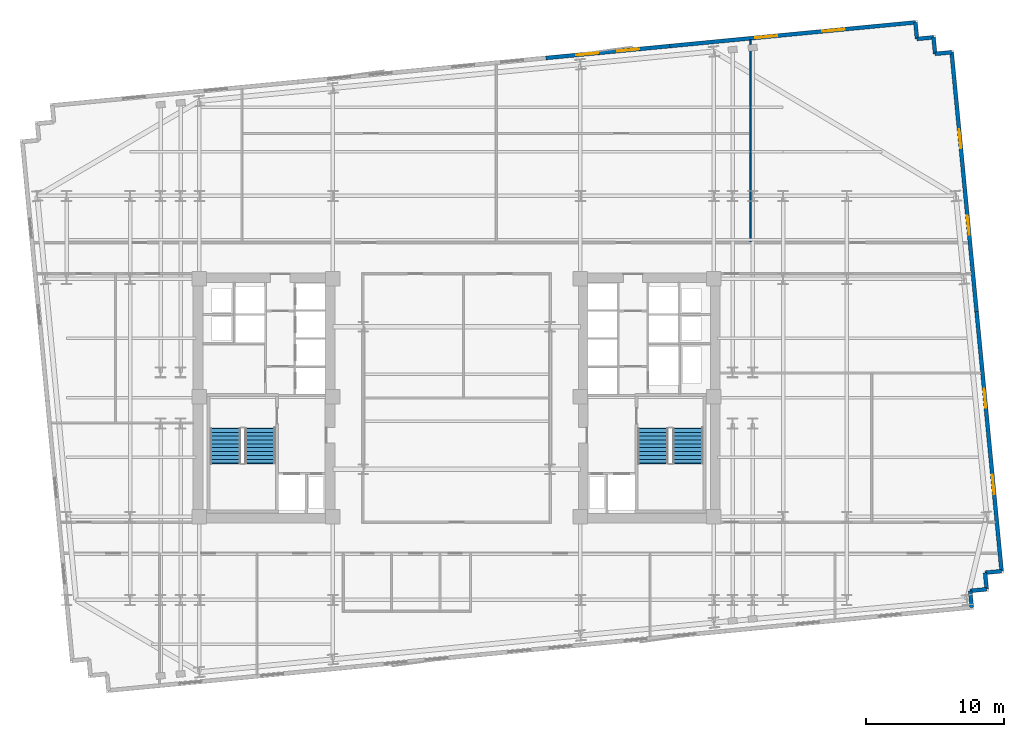
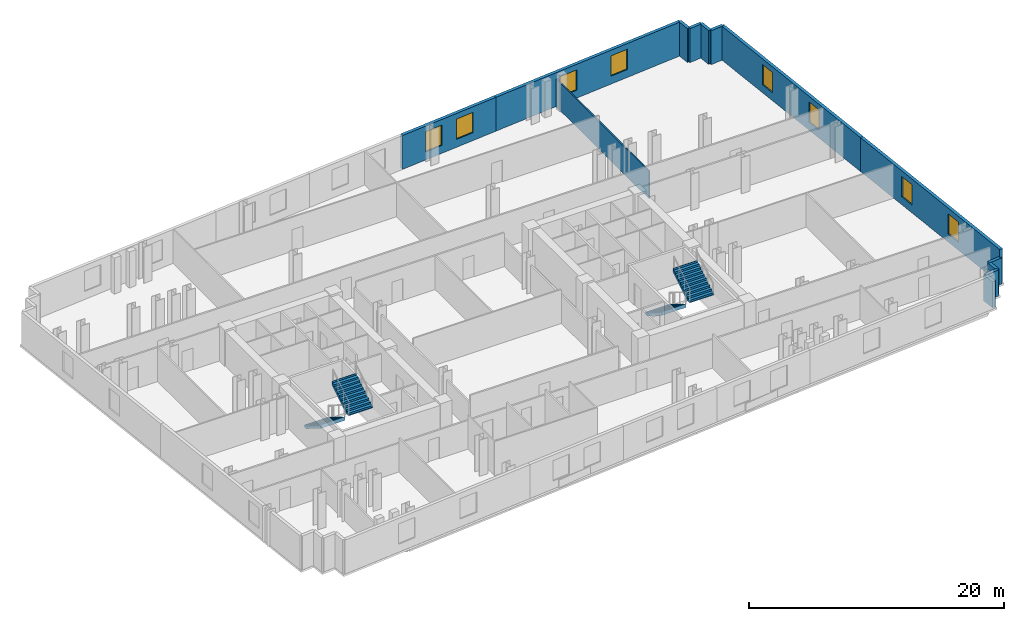
# One storey, part 8 of 10: 13 walls, 8 windows, 4 stair flights, 8 openings, 2 elements without a shape of their own.
"""IFC4 building model written with IfcOpenShell, lengths in metres."""

from ifc_helpers import new_model, si_unit, direction, frame, frame_2d, origin, place, context, subcontext, project, spatial, polyline, rectangle, outline, extrude, material, layer, layer_set, type_object, element, fill, aggregate, save


model = new_model("IFC4")

# Units and contexts
model_context = context("Model", 3, precision=1e-05, world=origin(), true_north=direction((0.0, 1.0)))
body_context = subcontext(model_context, "Body", "Model", "MODEL_VIEW")
ifc_project = project(units=[si_unit("LENGTHUNIT", "METRE"), si_unit("AREAUNIT", "SQUARE_METRE"), si_unit("VOLUMEUNIT", "CUBIC_METRE"), si_unit("PLANEANGLEUNIT", "RADIAN"), si_unit("MASSUNIT", "GRAM", prefix="KILO")], contexts=[model_context])

# Site, building, storey
site_placement = place(None, origin())
site = spatial("IfcSite", under=ifc_project, at=site_placement, CompositionType="ELEMENT")
building_placement = place(site_placement, origin())
building = spatial("IfcBuilding", under=site, at=building_placement, Name="Velakula Bourse", CompositionType="ELEMENT")
storey_placement = place(building_placement, frame((0.0, 0.0, 98.35009765625)))
storey = spatial("IfcBuildingStorey", under=building, at=storey_placement, Name="L26", CompositionType="ELEMENT", Elevation=98.35009765625)

# Wall, openings, windows
ifc_material_1 = material(Name="Red kilned clay facing brick masonry", Category="masonry")
ifc_layer_1 = layer(ifc_material_1, 0.280029296875, Name="Red kilned clay facing brick masonry", Category="masonry")
ifc_layer_set_1 = layer_set([ifc_layer_1], Name="Red kilned clay facing brick masonry")
wall_type_1 = type_object("IfcWallType", Name="WL-EXT-BRK-280", PredefinedType="STANDARD", material=ifc_layer_set_1)
wall_1_placement = place(storey_placement, frame((6.443603515625, 24.573486328125, 0.0), z_axis=(0.0, 0.0, 1.0), x_axis=(0.995396794462, 0.09583956164, 0.0)))
wall_1 = element("IfcWall", 1, at=wall_1_placement, inside=storey, type_object=wall_type_1, Name="L26 N Brick Spandrel Wall B4", PredefinedType="STANDARD", context=body_context, shape_type="SweptSolid", body=[
    extrude(rectangle(XDim=9.0, YDim=0.280029296875, at=frame_2d((4.5, 0.0))), origin(), (0.0, 0.0, 1.0), 3.25),
])
opening_1_placement = place(wall_1_placement, frame((2.199951171875, 0.0, 0.760009765625)))
opening_1 = element("IfcOpeningElement", 2, at=opening_1_placement, cuts=wall_1, Name="Opening W-02", PredefinedType="OPENING", context=body_context, shape_type="SweptSolid", body=[
    extrude(rectangle(XDim=1.60009765625, YDim=1.949951171875, at=frame_2d((0.800048828125, 0.97509765625))), frame((0.0, 0.14990234375, 0.0), z_axis=(0.0, -1.0, 0.0), x_axis=(1.0, 0.0, 0.0)), (0.0, 0.0, 1.0), 0.300048828125),
])
opening_2_placement = place(wall_1_placement, frame((5.199951171875, 0.0, 0.760009765625)))
opening_2 = element("IfcOpeningElement", 3, at=opening_2_placement, cuts=wall_1, Name="Opening W-02", PredefinedType="OPENING", context=body_context, shape_type="SweptSolid", body=[
    extrude(rectangle(XDim=1.60009765625, YDim=1.949951171875, at=frame_2d((0.800048828125, 0.97509765625))), frame((0.0, 0.14990234375, 0.0), z_axis=(0.0, -1.0, 0.0), x_axis=(1.0, 0.0, 0.0)), (0.0, 0.0, 1.0), 0.300048828125),
])
ifc_material_2 = material(Name="Double-glazed solar-control Low-E glass", Category="glass")
window_type_1 = type_object("IfcWindowType", Name="WIN-TWR-1600x2100", PartitioningType="SINGLE_PANEL", PredefinedType="WINDOW", material=ifc_material_2)
window_1_placement = place(opening_1_placement, origin())
window_1 = element("IfcWindow", 4, at=window_1_placement, inside=storey, type_object=window_type_1, Name="L26 Deep-Set Recessed Window 1", OverallHeight=1.949951171875, OverallWidth=1.60009765625, PartitioningType="SINGLE_PANEL", PredefinedType="WINDOW", context=body_context, shape_type="SweptSolid", body=[
    extrude(rectangle(XDim=1.60009765625, YDim=1.949951171875, at=frame_2d((0.800048828125, 0.97509765625))), frame((0.0, 0.030029296875, 0.0), z_axis=(0.0, -1.0, 0.0), x_axis=(1.0, 0.0, 0.0)), (0.0, 0.0, 1.0), 0.06005859375),
])
fill(opening_1, window_1)
window_2_placement = place(opening_2_placement, origin())
window_2 = element("IfcWindow", 5, at=window_2_placement, inside=storey, type_object=window_type_1, Name="L26 Deep-Set Recessed Window 2", OverallHeight=1.949951171875, OverallWidth=1.60009765625, PartitioningType="SINGLE_PANEL", PredefinedType="WINDOW", context=body_context, shape_type="SweptSolid", body=[
    extrude(rectangle(XDim=1.60009765625, YDim=1.949951171875, at=frame_2d((0.800048828125, 0.97509765625))), frame((0.0, 0.030029296875, 0.0), z_axis=(0.0, -1.0, 0.0), x_axis=(1.0, 0.0, 0.0)), (0.0, 0.0, 1.0), 0.06005859375),
])
fill(opening_2, window_2)

wall_2_placement = place(storey_placement, frame((15.402099609375, 25.43603515625, 0.0), z_axis=(0.0, 0.0, 1.0), x_axis=(0.995395780835, 0.095850088663, 0.0)))
wall_2 = element("IfcWall", 6, at=wall_2_placement, inside=storey, type_object=wall_type_1, Name="L26 N Brick Spandrel Wall B5", PredefinedType="STANDARD", context=body_context, shape_type="SweptSolid", body=[
    extrude(rectangle(XDim=17.83984375, YDim=0.280029296875, at=frame_2d((8.919921875, 0.0))), origin(), (0.0, 0.0, 1.0), 3.25),
])
opening_3_placement = place(wall_2_placement, frame((6.19677734375, 0.0, 0.760009765625)))
opening_3 = element("IfcOpeningElement", 7, at=opening_3_placement, cuts=wall_2, Name="Opening W-02", PredefinedType="OPENING", context=body_context, shape_type="SweptSolid", body=[
    extrude(rectangle(XDim=1.60009765625, YDim=1.949951171875, at=frame_2d((0.800048828125, 0.97509765625))), frame((0.0, 0.14990234375, 0.0), z_axis=(0.0, -1.0, 0.0), x_axis=(1.0, 0.0, 0.0)), (0.0, 0.0, 1.0), 0.300048828125),
])
opening_4_placement = place(wall_2_placement, frame((11.09326171875, 0.0, 0.760009765625)))
opening_4 = element("IfcOpeningElement", 8, at=opening_4_placement, cuts=wall_2, Name="Opening W-02", PredefinedType="OPENING", context=body_context, shape_type="SweptSolid", body=[
    extrude(rectangle(XDim=1.60009765625, YDim=1.949951171875, at=frame_2d((0.800048828125, 0.97509765625))), frame((0.0, 0.14990234375, 0.0), z_axis=(0.0, -1.0, 0.0), x_axis=(1.0, 0.0, 0.0)), (0.0, 0.0, 1.0), 0.300048828125),
])
window_3_placement = place(opening_3_placement, origin())
window_3 = element("IfcWindow", 9, at=window_3_placement, inside=storey, type_object=window_type_1, Name="L26 Deep-Set Recessed Window 1", OverallHeight=1.949951171875, OverallWidth=1.60009765625, PartitioningType="SINGLE_PANEL", PredefinedType="WINDOW", context=body_context, shape_type="SweptSolid", body=[
    extrude(rectangle(XDim=1.60009765625, YDim=1.949951171875, at=frame_2d((0.800048828125, 0.97509765625))), frame((0.0, 0.030029296875, 0.0), z_axis=(0.0, -1.0, 0.0), x_axis=(1.0, 0.0, 0.0)), (0.0, 0.0, 1.0), 0.06005859375),
])
fill(opening_3, window_3)
window_4_placement = place(opening_4_placement, origin())
window_4 = element("IfcWindow", 10, at=window_4_placement, inside=storey, type_object=window_type_1, Name="L26 Deep-Set Recessed Window 2", OverallHeight=1.949951171875, OverallWidth=1.60009765625, PartitioningType="SINGLE_PANEL", PredefinedType="WINDOW", context=body_context, shape_type="SweptSolid", body=[
    extrude(rectangle(XDim=1.60009765625, YDim=1.949951171875, at=frame_2d((0.800048828125, 0.97509765625))), frame((0.0, 0.030029296875, 0.0), z_axis=(0.0, -1.0, 0.0), x_axis=(1.0, 0.0, 0.0)), (0.0, 0.0, 1.0), 0.06005859375),
])
fill(opening_4, window_4)

wall_3_placement = place(storey_placement, frame((37.584716796875, 6.23388671875, 0.0), z_axis=(0.0, 0.0, 1.0), x_axis=(0.095841297881, -0.99539662729, 0.0)))
wall_3 = element("IfcWall", 11, at=wall_3_placement, inside=storey, type_object=wall_type_1, Name="L26 E Brick End Wall W1", PredefinedType="STANDARD", context=body_context, shape_type="SweptSolid", body=[
    extrude(rectangle(XDim=18.840087890625, YDim=0.280029296875, at=frame_2d((9.419921875, 0.0))), origin(), (0.0, 0.0, 1.0), 3.25),
])
opening_5_placement = place(wall_3_placement, frame((5.580078125, 0.0, 0.760009765625)))
opening_5 = element("IfcOpeningElement", 12, at=opening_5_placement, cuts=wall_3, Name="Opening W-03", PredefinedType="OPENING", context=body_context, shape_type="SweptSolid", body=[
    extrude(rectangle(XDim=1.39990234375, YDim=1.949951171875, at=frame_2d((0.699951171875, 0.97509765625))), frame((0.0, 0.14990234375, 0.0), z_axis=(0.0, -1.0, 0.0), x_axis=(1.0, 0.0, 0.0)), (0.0, 0.0, 1.0), 0.300048828125),
])
opening_6_placement = place(wall_3_placement, frame((11.860107421875, 0.0, 0.760009765625)))
opening_6 = element("IfcOpeningElement", 13, at=opening_6_placement, cuts=wall_3, Name="Opening W-03", PredefinedType="OPENING", context=body_context, shape_type="SweptSolid", body=[
    extrude(rectangle(XDim=1.39990234375, YDim=1.949951171875, at=frame_2d((0.699951171875, 0.97509765625))), frame((0.0, 0.14990234375, 0.0), z_axis=(0.0, -1.0, 0.0), x_axis=(1.0, 0.0, 0.0)), (0.0, 0.0, 1.0), 0.300048828125),
])
window_type_2 = type_object("IfcWindowType", Name="WIN-TWR-1400x2100", PartitioningType="SINGLE_PANEL", PredefinedType="WINDOW", material=ifc_material_2)
window_5_placement = place(opening_5_placement, origin())
window_5 = element("IfcWindow", 14, at=window_5_placement, inside=storey, type_object=window_type_2, Name="L26 Deep-Set Recessed Window 1", OverallHeight=1.949951171875, OverallWidth=1.39990234375, PartitioningType="SINGLE_PANEL", PredefinedType="WINDOW", context=body_context, shape_type="SweptSolid", body=[
    extrude(rectangle(XDim=1.39990234375, YDim=1.949951171875, at=frame_2d((0.699951171875, 0.97509765625))), frame((0.0, 0.030029296875, 0.0), z_axis=(0.0, -1.0, 0.0), x_axis=(1.0, 0.0, 0.0)), (0.0, 0.0, 1.0), 0.06005859375),
])
fill(opening_5, window_5)
window_6_placement = place(opening_6_placement, origin())
window_6 = element("IfcWindow", 15, at=window_6_placement, inside=storey, type_object=window_type_2, Name="L26 Deep-Set Recessed Window 2", OverallHeight=1.949951171875, OverallWidth=1.39990234375, PartitioningType="SINGLE_PANEL", PredefinedType="WINDOW", context=body_context, shape_type="SweptSolid", body=[
    extrude(rectangle(XDim=1.39990234375, YDim=1.949951171875, at=frame_2d((0.699951171875, 0.97509765625))), frame((0.0, 0.030029296875, 0.0), z_axis=(0.0, -1.0, 0.0), x_axis=(1.0, 0.0, 0.0)), (0.0, 0.0, 1.0), 0.06005859375),
])
fill(opening_6, window_6)

wall_4_placement = place(storey_placement, frame((35.779052734375, 24.987060546875, 0.0), z_axis=(0.0, 0.0, 1.0), x_axis=(0.095842534142, -0.995396508256, 0.0)))
wall_4 = element("IfcWall", 16, at=wall_4_placement, inside=storey, type_object=wall_type_1, Name="L26 E Brick End Wall W2", PredefinedType="STANDARD", context=body_context, shape_type="SweptSolid", body=[
    extrude(rectangle(XDim=18.83984375, YDim=0.280029296875, at=frame_2d((9.419921875, 0.0))), origin(), (0.0, 0.0, 1.0), 3.25),
])
opening_7_placement = place(wall_4_placement, frame((5.580078125, 0.0, 0.760009765625)))
opening_7 = element("IfcOpeningElement", 17, at=opening_7_placement, cuts=wall_4, Name="Opening W-03", PredefinedType="OPENING", context=body_context, shape_type="SweptSolid", body=[
    extrude(rectangle(XDim=1.39990234375, YDim=1.949951171875, at=frame_2d((0.699951171875, 0.97509765625))), frame((0.0, 0.14990234375, 0.0), z_axis=(0.0, -1.0, 0.0), x_axis=(1.0, 0.0, 0.0)), (0.0, 0.0, 1.0), 0.300048828125),
])
opening_8_placement = place(wall_4_placement, frame((11.860107421875, 0.0, 0.760009765625)))
opening_8 = element("IfcOpeningElement", 18, at=opening_8_placement, cuts=wall_4, Name="Opening W-03", PredefinedType="OPENING", context=body_context, shape_type="SweptSolid", body=[
    extrude(rectangle(XDim=1.39990234375, YDim=1.949951171875, at=frame_2d((0.699951171875, 0.97509765625))), frame((0.0, 0.14990234375, 0.0), z_axis=(0.0, -1.0, 0.0), x_axis=(1.0, 0.0, 0.0)), (0.0, 0.0, 1.0), 0.300048828125),
])
window_7_placement = place(opening_7_placement, origin())
window_7 = element("IfcWindow", 19, at=window_7_placement, inside=storey, type_object=window_type_2, Name="L26 Deep-Set Recessed Window 1", OverallHeight=1.949951171875, OverallWidth=1.39990234375, PartitioningType="SINGLE_PANEL", PredefinedType="WINDOW", context=body_context, shape_type="SweptSolid", body=[
    extrude(rectangle(XDim=1.39990234375, YDim=1.949951171875, at=frame_2d((0.699951171875, 0.97509765625))), frame((0.0, 0.030029296875, 0.0), z_axis=(0.0, -1.0, 0.0), x_axis=(1.0, 0.0, 0.0)), (0.0, 0.0, 1.0), 0.06005859375),
])
fill(opening_7, window_7)
window_8_placement = place(opening_8_placement, origin())
window_8 = element("IfcWindow", 20, at=window_8_placement, inside=storey, type_object=window_type_2, Name="L26 Deep-Set Recessed Window 2", OverallHeight=1.949951171875, OverallWidth=1.39990234375, PartitioningType="SINGLE_PANEL", PredefinedType="WINDOW", context=body_context, shape_type="SweptSolid", body=[
    extrude(rectangle(XDim=1.39990234375, YDim=1.949951171875, at=frame_2d((0.699951171875, 0.97509765625))), frame((0.0, 0.030029296875, 0.0), z_axis=(0.0, -1.0, 0.0), x_axis=(1.0, 0.0, 0.0)), (0.0, 0.0, 1.0), 0.06005859375),
])
fill(opening_8, window_8)

# Walls
for number, where, z_axis, x_axis, name in (
    (21, (37.2314453125, -15.138427734375, 0.0), (0.0, 0.0, 1.0), (-0.095817067274, 0.995398960025, 0.0), "L26 Serrated Corner Brick Wall SE-1"),
    (22, (37.116455078125, -13.94384765625, 0.0), (0.0, 0.0, 1.0), (0.995398960025, 0.095817067274, 0.0), "L26 Serrated Corner Brick Wall SE-2"),
):
    element("IfcWall", number, at=place(storey_placement, frame(where, z_axis=z_axis, x_axis=x_axis)), inside=storey, type_object=wall_type_1, Name=name, PredefinedType="STANDARD", context=body_context, shape_type="SweptSolid", body=[
        extrude(rectangle(XDim=1.2001953125, YDim=0.280029296875, at=frame_2d((0.60009765625, 0.0))), origin(), (0.0, 0.0, 1.0), 2.494873046875),
    ])
for number, where, z_axis, x_axis, name in (
    (23, (38.31103515625, -13.828857421875, 0.0), (0.0, 0.0, 1.0), (-0.095836473879, 0.995397091755, 0.0), "L26 Serrated Corner Brick Wall SE-3"),
    (24, (38.196044921875, -12.634521484375, 0.0), (0.0, 0.0, 1.0), (0.995397091755, 0.095836473879, 0.0), "L26 Serrated Corner Brick Wall SE-4"),
):
    element("IfcWall", number, at=place(storey_placement, frame(where, z_axis=z_axis, x_axis=x_axis)), inside=storey, type_object=wall_type_1, Name=name, PredefinedType="STANDARD", context=body_context, shape_type="SweptSolid", body=[
        extrude(rectangle(XDim=1.199951171875, YDim=0.280029296875, at=frame_2d((0.60009765625, 0.0))), origin(), (0.0, 0.0, 1.0), 2.494873046875),
    ])
for number, where, z_axis, x_axis, name in (
    (25, (35.779052734375, 24.987060546875, 0.0), (0.0, 0.0, 1.0), (-0.995398960025, -0.095817067274, 0.0), "L26 Serrated Corner Brick Wall NE-1"),
    (26, (34.58447265625, 24.8720703125, 0.0), (0.0, 0.0, 1.0), (-0.095817067274, 0.995398960025, 0.0), "L26 Serrated Corner Brick Wall NE-2"),
    (27, (34.469482421875, 26.066650390625, 0.0), (0.0, 0.0, 1.0), (-0.995398960025, -0.095817067274, 0.0), "L26 Serrated Corner Brick Wall NE-3"),
):
    element("IfcWall", number, at=place(storey_placement, frame(where, z_axis=z_axis, x_axis=x_axis)), inside=storey, type_object=wall_type_1, Name=name, PredefinedType="STANDARD", context=body_context, shape_type="SweptSolid", body=[
        extrude(rectangle(XDim=1.2001953125, YDim=0.280029296875, at=frame_2d((0.60009765625, 0.0))), origin(), (0.0, 0.0, 1.0), 3.25),
    ])
wall_5_placement = place(storey_placement, frame((33.27490234375, 25.95166015625, 0.0), z_axis=(0.0, 0.0, 1.0), x_axis=(-0.095836473879, 0.995397091755, 0.0)))
element("IfcWall", 28, at=wall_5_placement, inside=storey, type_object=wall_type_1, Name="L26 Serrated Corner Brick Wall NE-4", PredefinedType="STANDARD", context=body_context, shape_type="SweptSolid", body=[
    extrude(rectangle(XDim=1.199951171875, YDim=0.280029296875, at=frame_2d((0.60009765625, 0.0))), origin(), (0.0, 0.0, 1.0), 3.25),
])
ifc_material_3 = material(Name="Fire-rated double-layer gypsum drywall partition", Category="gypsum")
ifc_layer_2 = layer(ifc_material_3, 0.1201171875, Name="Fire-rated double-layer gypsum drywall partition", Category="gypsum")
ifc_layer_set_2 = layer_set([ifc_layer_2], Name="Fire-rated double-layer gypsum drywall partition")
wall_type_2 = type_object("IfcWallType", Name="WL-PART-120", PredefinedType="STANDARD", material=ifc_layer_set_2)
wall_6_placement = place(storey_placement, frame((21.2509765625, 11.2900390625, 0.0), z_axis=(0.0, 0.0, 1.0), x_axis=(0.0, 1.0, 0.0)))
element("IfcWall", 29, at=wall_6_placement, inside=storey, type_object=wall_type_2, Name="L26 Interior Partition WL-INT-L26-N-D3", PredefinedType="STANDARD", context=body_context, shape_type="SweptSolid", body=[
    extrude(rectangle(XDim=14.5888671875, YDim=0.1201171875, at=frame_2d((7.29443359375, 0.0))), origin(), (0.0, 0.0, 1.0), 2.64501953125),
])

# Stair, stair flights
ifc_material_4 = material(Name="Concrete M45 (fck 45 MPa)", Category="concrete")
stair_type = type_object("IfcStairType", Name="STR-DOG-390", PredefinedType="HALF_TURN_STAIR", material=ifc_material_4)
stair_1_placement = place(storey_placement, origin())
stair_1 = element("IfcStair", 30, at=stair_1_placement, inside=storey, type_object=stair_type, Name="L26 West Core Exit Stair ST-W1", PredefinedType="HALF_TURN_STAIR")
ifc_layer_3 = layer(ifc_material_4, 0.195068359375, Name="Concrete M45 (fck 45 MPa)", Category="concrete")
ifc_layer_set_3 = layer_set([ifc_layer_3], Name="Concrete M45 (fck 45 MPa)")
stair_flight_type = type_object("IfcStairFlightType", Name="FLT-DOG-390", PredefinedType="STRAIGHT", material=ifc_layer_set_3)
stair_flight_1_placement = place(storey_placement, frame((-16.720947265625, -2.199951171875, 0.0), z_axis=(0.0, 0.0, 1.0), x_axis=(0.0, -1.0, 0.0)))
stair_flight_1 = element("IfcStairFlight", 31, at=stair_flight_1_placement, type_object=stair_flight_type, Name="ST-W1 flight 1", NumberOfRisers=10, NumberOfTreads=9, PredefinedType="STRAIGHT", RiserHeight=0.1725, TreadLength=0.28, context=body_context, shape_type="SweptSolid", body=[
    extrude(outline(polyline([(-0.044921875, -0.0400390625), (-0.044921875, -0.036865234375), (-0.044921875, -0.033935546875), (-0.044921875, -0.03076171875), (-0.044921875, -0.027587890625), (-0.044921875, -0.024658203125), (-0.044921875, -0.021484375), (-0.044921875, -0.0185546875), (-0.044921875, -0.015380859375), (-0.044921875, -0.01220703125), (-0.044921875, -0.00927734375), (-0.044921875, -0.006103515625), (-0.044921875, -0.003173828125), (-0.044921875, 0.0), (0.0, 0.0), (0.0, 0.172607421875), (0.280029296875, 0.172607421875), (0.280029296875, 0.344970703125), (0.56005859375, 0.344970703125), (0.56005859375, 0.517578125), (0.840087890625, 0.517578125), (0.840087890625, 0.68994140625), (1.1201171875, 0.68994140625), (1.1201171875, 0.862548828125), (1.39990234375, 0.862548828125), (1.39990234375, 1.034912109375), (1.679931640625, 1.034912109375), (1.679931640625, 1.20751953125), (1.9599609375, 1.20751953125), (1.9599609375, 1.3798828125), (2.239990234375, 1.3798828125), (2.239990234375, 1.552490234375), (2.52001953125, 1.552490234375), (2.52001953125, 1.72509765625), (2.56494140625, 1.72509765625), (2.56494140625, 1.7001953125), (2.56494140625, 1.67529296875), (2.56494140625, 1.650390625), (2.56494140625, 1.62548828125), (2.56494140625, 1.6005859375), (2.56494140625, 1.57568359375), (2.56494140625, 1.55078125), (2.56494140625, 1.52587890625), (2.56494140625, 1.5009765625), (2.56494140625, 1.47607421875), (2.56494140625, 1.451171875), (2.56494140625, 1.42626953125), (2.56494140625, 1.4013671875), (2.56494140625, 1.37646484375), (0.285888671875, -0.0400390625), (-0.044921875, -0.0400390625)])), frame((0.0, 1.09912109375, 0.0), z_axis=(0.0, -1.0, 0.0), x_axis=(1.0, 0.0, 0.0)), (0.0, 0.0, 1.0), 2.197998046875),
])
stair_flight_2_placement = place(storey_placement, frame((-14.198974609375, -4.719970703125, 1.724853515625), z_axis=(0.0, 0.0, 1.0), x_axis=(0.0, 1.0, 0.0)))
stair_flight_2 = element("IfcStairFlight", 32, at=stair_flight_2_placement, type_object=stair_flight_type, Name="ST-W1 flight 2", NumberOfRisers=10, NumberOfTreads=9, PredefinedType="STRAIGHT", RiserHeight=0.1725, TreadLength=0.28, context=body_context, shape_type="SweptSolid", body=[
    extrude(outline(polyline([(-0.044921875, -0.0400390625), (-0.044921875, -0.036865234375), (-0.044921875, -0.033935546875), (-0.044921875, -0.03076171875), (-0.044921875, -0.027587890625), (-0.044921875, -0.024658203125), (-0.044921875, -0.021484375), (-0.044921875, -0.0185546875), (-0.044921875, -0.015380859375), (-0.044921875, -0.01220703125), (-0.044921875, -0.00927734375), (-0.044921875, -0.006103515625), (-0.044921875, -0.003173828125), (-0.044921875, 0.0), (0.0, 0.0), (0.0, 0.172607421875), (0.280029296875, 0.172607421875), (0.280029296875, 0.344970703125), (0.56005859375, 0.344970703125), (0.56005859375, 0.517578125), (0.840087890625, 0.517578125), (0.840087890625, 0.68994140625), (1.1201171875, 0.68994140625), (1.1201171875, 0.862548828125), (1.39990234375, 0.862548828125), (1.39990234375, 1.034912109375), (1.679931640625, 1.034912109375), (1.679931640625, 1.20751953125), (1.9599609375, 1.20751953125), (1.9599609375, 1.3798828125), (2.239990234375, 1.3798828125), (2.239990234375, 1.552490234375), (2.52001953125, 1.552490234375), (2.52001953125, 1.72509765625), (2.56494140625, 1.72509765625), (2.56494140625, 1.7001953125), (2.56494140625, 1.67529296875), (2.56494140625, 1.650390625), (2.56494140625, 1.62548828125), (2.56494140625, 1.6005859375), (2.56494140625, 1.57568359375), (2.56494140625, 1.55078125), (2.56494140625, 1.52587890625), (2.56494140625, 1.5009765625), (2.56494140625, 1.47607421875), (2.56494140625, 1.451171875), (2.56494140625, 1.42626953125), (2.56494140625, 1.4013671875), (2.56494140625, 1.37646484375), (0.285888671875, -0.0400390625), (-0.044921875, -0.0400390625)])), frame((0.0, 1.09912109375, 0.0), z_axis=(0.0, -1.0, 0.0), x_axis=(1.0, 0.0, 0.0)), (0.0, 0.0, 1.0), 2.197998046875),
])
aggregate(stair_1, [stair_flight_1, stair_flight_2])

stair_2_placement = place(storey_placement, origin())
stair_2 = element("IfcStair", 33, at=stair_2_placement, inside=storey, type_object=stair_type, Name="L26 East Core Exit Stair ST-E1", PredefinedType="HALF_TURN_STAIR")
stair_flight_3_placement = place(storey_placement, frame((14.198974609375, -2.199951171875, 0.0), z_axis=(0.0, 0.0, 1.0), x_axis=(0.0, -1.0, 0.0)))
stair_flight_3 = element("IfcStairFlight", 34, at=stair_flight_3_placement, type_object=stair_flight_type, Name="ST-E1 flight 1", NumberOfRisers=10, NumberOfTreads=9, PredefinedType="STRAIGHT", RiserHeight=0.1725, TreadLength=0.28, context=body_context, shape_type="SweptSolid", body=[
    extrude(outline(polyline([(-0.044921875, -0.0400390625), (-0.044921875, -0.036865234375), (-0.044921875, -0.033935546875), (-0.044921875, -0.03076171875), (-0.044921875, -0.027587890625), (-0.044921875, -0.024658203125), (-0.044921875, -0.021484375), (-0.044921875, -0.0185546875), (-0.044921875, -0.015380859375), (-0.044921875, -0.01220703125), (-0.044921875, -0.00927734375), (-0.044921875, -0.006103515625), (-0.044921875, -0.003173828125), (-0.044921875, 0.0), (0.0, 0.0), (0.0, 0.172607421875), (0.280029296875, 0.172607421875), (0.280029296875, 0.344970703125), (0.56005859375, 0.344970703125), (0.56005859375, 0.517578125), (0.840087890625, 0.517578125), (0.840087890625, 0.68994140625), (1.1201171875, 0.68994140625), (1.1201171875, 0.862548828125), (1.39990234375, 0.862548828125), (1.39990234375, 1.034912109375), (1.679931640625, 1.034912109375), (1.679931640625, 1.20751953125), (1.9599609375, 1.20751953125), (1.9599609375, 1.3798828125), (2.239990234375, 1.3798828125), (2.239990234375, 1.552490234375), (2.52001953125, 1.552490234375), (2.52001953125, 1.72509765625), (2.56494140625, 1.72509765625), (2.56494140625, 1.7001953125), (2.56494140625, 1.67529296875), (2.56494140625, 1.650390625), (2.56494140625, 1.62548828125), (2.56494140625, 1.6005859375), (2.56494140625, 1.57568359375), (2.56494140625, 1.55078125), (2.56494140625, 1.52587890625), (2.56494140625, 1.5009765625), (2.56494140625, 1.47607421875), (2.56494140625, 1.451171875), (2.56494140625, 1.42626953125), (2.56494140625, 1.4013671875), (2.56494140625, 1.37646484375), (0.285888671875, -0.0400390625), (-0.044921875, -0.0400390625)])), frame((0.0, 1.09912109375, 0.0), z_axis=(0.0, -1.0, 0.0), x_axis=(1.0, 0.0, 0.0)), (0.0, 0.0, 1.0), 2.197998046875),
])
stair_flight_4_placement = place(storey_placement, frame((16.720947265625, -4.719970703125, 1.724853515625), z_axis=(0.0, 0.0, 1.0), x_axis=(0.0, 1.0, 0.0)))
stair_flight_4 = element("IfcStairFlight", 35, at=stair_flight_4_placement, type_object=stair_flight_type, Name="ST-E1 flight 2", NumberOfRisers=10, NumberOfTreads=9, PredefinedType="STRAIGHT", RiserHeight=0.1725, TreadLength=0.28, context=body_context, shape_type="SweptSolid", body=[
    extrude(outline(polyline([(-0.044921875, -0.0400390625), (-0.044921875, -0.036865234375), (-0.044921875, -0.033935546875), (-0.044921875, -0.03076171875), (-0.044921875, -0.027587890625), (-0.044921875, -0.024658203125), (-0.044921875, -0.021484375), (-0.044921875, -0.0185546875), (-0.044921875, -0.015380859375), (-0.044921875, -0.01220703125), (-0.044921875, -0.00927734375), (-0.044921875, -0.006103515625), (-0.044921875, -0.003173828125), (-0.044921875, 0.0), (0.0, 0.0), (0.0, 0.172607421875), (0.280029296875, 0.172607421875), (0.280029296875, 0.344970703125), (0.56005859375, 0.344970703125), (0.56005859375, 0.517578125), (0.840087890625, 0.517578125), (0.840087890625, 0.68994140625), (1.1201171875, 0.68994140625), (1.1201171875, 0.862548828125), (1.39990234375, 0.862548828125), (1.39990234375, 1.034912109375), (1.679931640625, 1.034912109375), (1.679931640625, 1.20751953125), (1.9599609375, 1.20751953125), (1.9599609375, 1.3798828125), (2.239990234375, 1.3798828125), (2.239990234375, 1.552490234375), (2.52001953125, 1.552490234375), (2.52001953125, 1.72509765625), (2.56494140625, 1.72509765625), (2.56494140625, 1.7001953125), (2.56494140625, 1.67529296875), (2.56494140625, 1.650390625), (2.56494140625, 1.62548828125), (2.56494140625, 1.6005859375), (2.56494140625, 1.57568359375), (2.56494140625, 1.55078125), (2.56494140625, 1.52587890625), (2.56494140625, 1.5009765625), (2.56494140625, 1.47607421875), (2.56494140625, 1.451171875), (2.56494140625, 1.42626953125), (2.56494140625, 1.4013671875), (2.56494140625, 1.37646484375), (0.285888671875, -0.0400390625), (-0.044921875, -0.0400390625)])), frame((0.0, 1.09912109375, 0.0), z_axis=(0.0, -1.0, 0.0), x_axis=(1.0, 0.0, 0.0)), (0.0, 0.0, 1.0), 2.197998046875),
])
aggregate(stair_2, [stair_flight_3, stair_flight_4])

save(model, "model.ifc")
